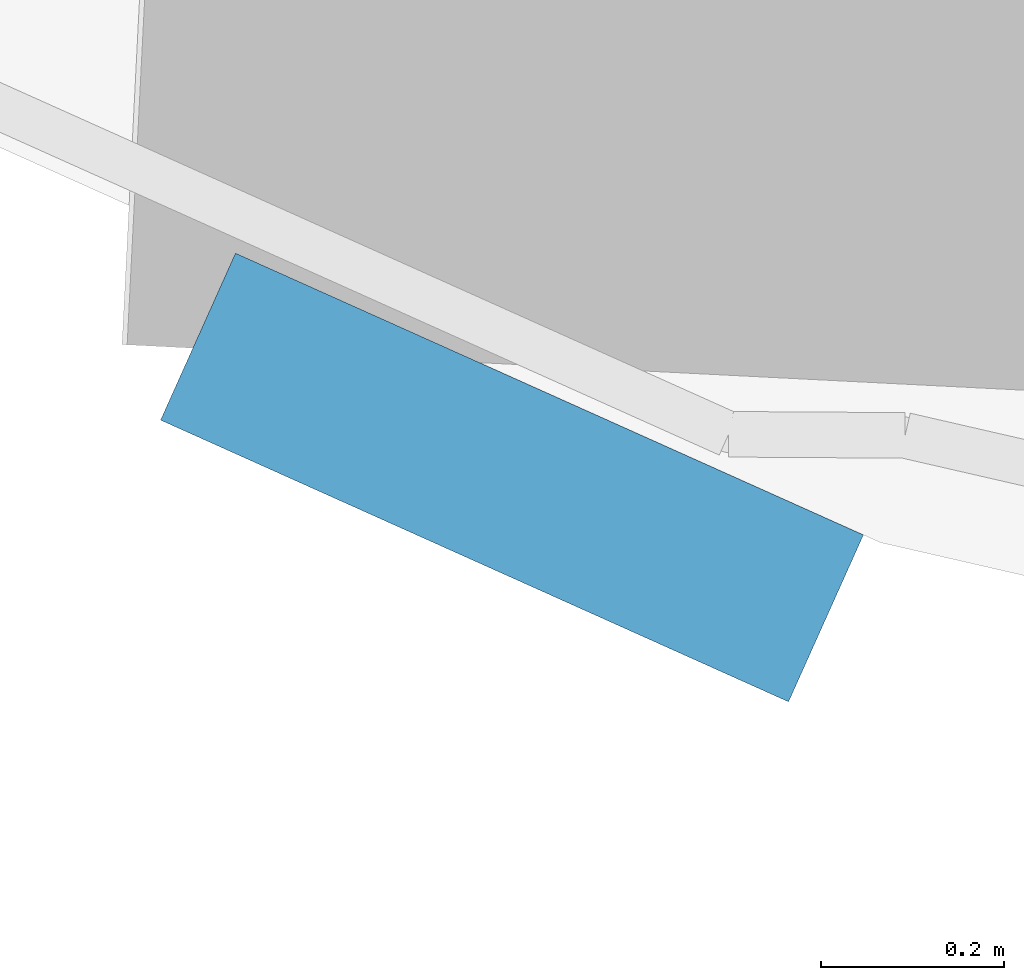
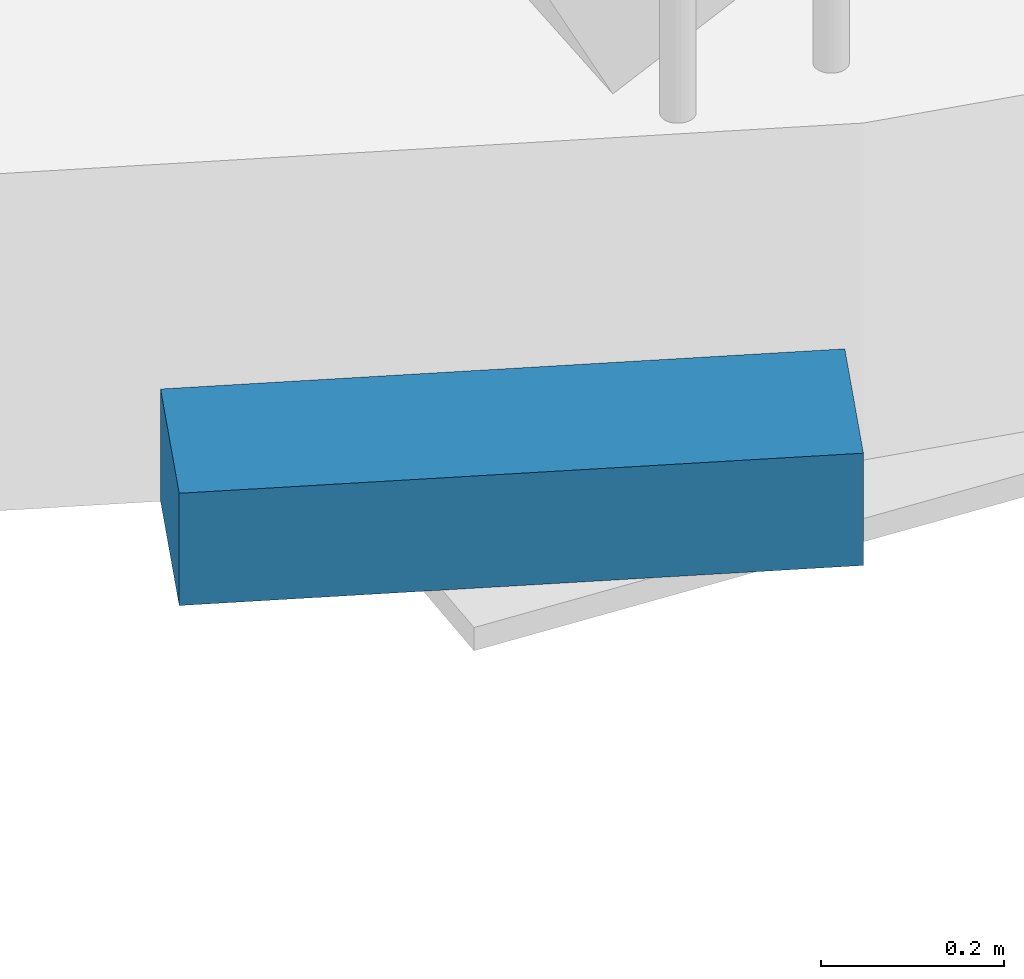
# One storey, part 18 of 39: 1 member, 1 element without a shape of its own.
"""IFC4 building model written with IfcOpenShell, lengths in metres."""

from ifc_helpers import new_model, si_unit, direction, frame, origin, origin_2d, place, context, subcontext, project, spatial, rectangle, extrude, material, material_profile, profile_set, type_object, element, aggregate, save


model = new_model("IFC4")

# Units and contexts
model_context = context("Model", 3, precision=1e-05, world=origin(), true_north=direction((0.0, 1.0)))
body_context = subcontext(model_context, "Body", "Model", "MODEL_VIEW")
ifc_project = project(units=[si_unit("LENGTHUNIT", "METRE"), si_unit("AREAUNIT", "SQUARE_METRE"), si_unit("VOLUMEUNIT", "CUBIC_METRE"), si_unit("PLANEANGLEUNIT", "RADIAN"), si_unit("MASSUNIT", "GRAM", prefix="KILO")], contexts=[model_context])

# Site, building, storey
site_placement = place(None, origin())
site = spatial("IfcSite", under=ifc_project, at=site_placement, CompositionType="ELEMENT")
building_placement = place(site_placement, origin())
building = spatial("IfcBuilding", under=site, at=building_placement, Name="Orlundy Tower", CompositionType="ELEMENT")
storey_placement = place(building_placement, frame((0.0, 0.0, 141.199951171875)))
storey = spatial("IfcBuildingStorey", under=building, at=storey_placement, Name="L36", CompositionType="ELEMENT", Elevation=141.199951171875)

# Curtain wall, member
ifc_material_1 = material(Name="Aluminium bronze anodised", Category="aluminium")
curtain_wall_type = type_object("IfcCurtainWallType", Name="CW4 wall", PredefinedType="NOTDEFINED", material=ifc_material_1)
curtain_wall_placement = place(storey_placement, origin())
curtain_wall = element("IfcCurtainWall", 1, at=curtain_wall_placement, inside=storey, type_object=curtain_wall_type, Name="CW4 run 07", PredefinedType="NOTDEFINED")
ifc_material_2 = material(Name="Aluminium bronze anodised", Category="aluminium")
ifc_material_profile = material_profile(ifc_material_2, rectangle(XDim=0.199951171875, YDim=0.14990234375, at=origin_2d()), Name="CW4 transom 200x150")
ifc_profile_set = profile_set([ifc_material_profile], Name="Aluminium bronze anodised")
member_type = type_object("IfcMemberType", Name="CW4 transom 200x150", PredefinedType="USERDEFINED", material=ifc_profile_set)
member_placement = place(storey_placement, frame((-15.24755859375, -59.578857421875, -0.375), z_axis=(-0.912400669772, 0.409298201559, 0.0), x_axis=(-0.409298201559, -0.912400669772, 0.0)))
member = element("IfcMember", 2, at=member_placement, type_object=member_type, Name="CW4 transom", ObjectType="TRANSOM", PredefinedType="USERDEFINED", context=body_context, shape_type="SweptSolid", body=[
    extrude(rectangle(XDim=0.199951171875, YDim=0.14990234375, at=origin_2d()), origin(), (0.0, 0.0, 1.0), 0.752197265625),
])
aggregate(curtain_wall, [member])

save(model, "model.ifc")
